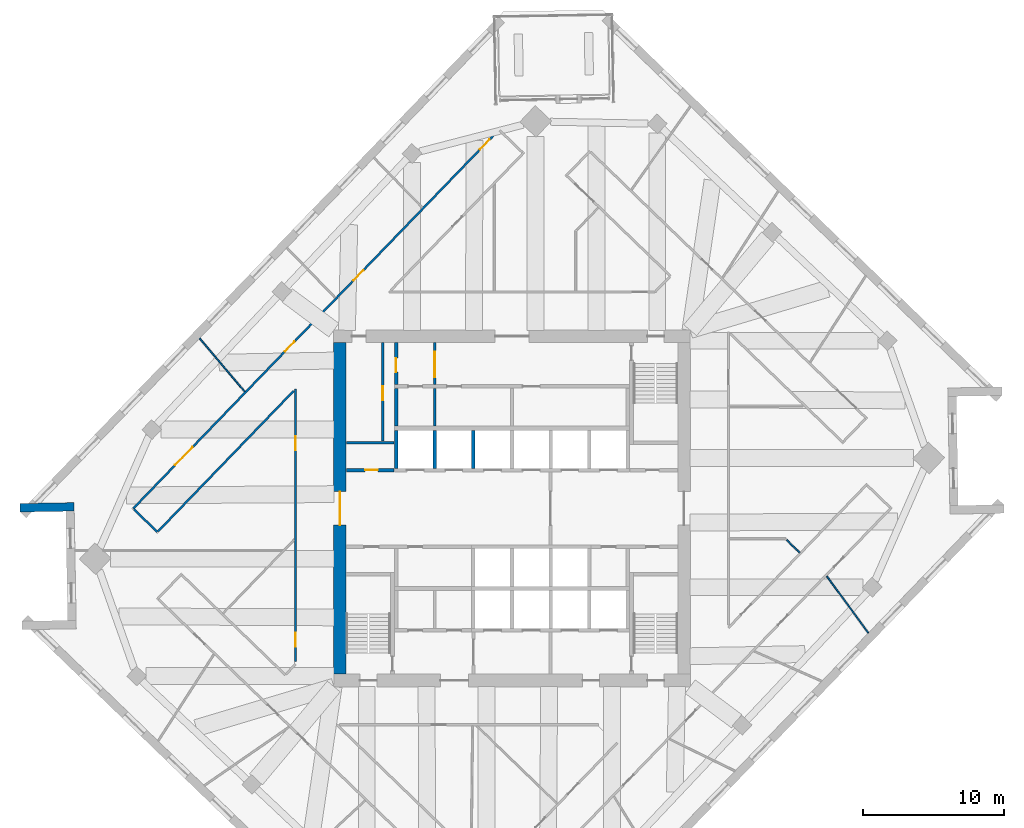
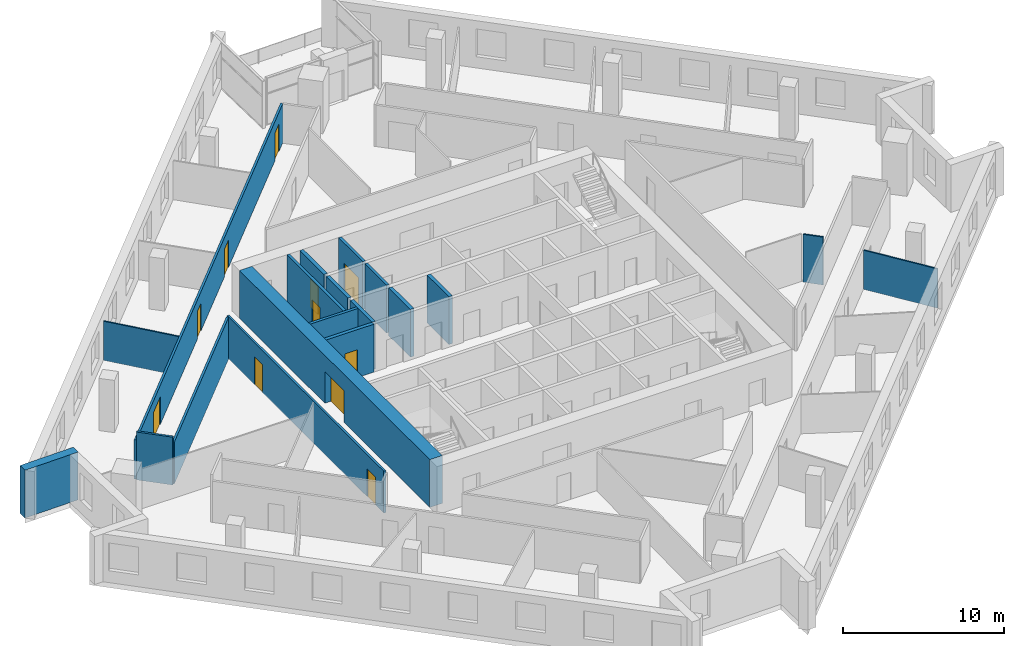
# One storey, part 8 of 13: 19 walls, 11 doors, 11 openings.
"""IFC4 building model written with IfcOpenShell, lengths in metres."""

from ifc_helpers import new_model, si_unit, direction, frame, frame_2d, origin, place, context, subcontext, project, spatial, rectangle, extrude, material, layer, layer_set, type_object, element, fill, save


model = new_model("IFC4")

# Units and contexts
model_context = context("Model", 3, precision=1e-05, world=origin(), true_north=direction((0.0, 1.0)))
body_context = subcontext(model_context, "Body", "Model", "MODEL_VIEW")
ifc_project = project(units=[si_unit("LENGTHUNIT", "METRE"), si_unit("AREAUNIT", "SQUARE_METRE"), si_unit("VOLUMEUNIT", "CUBIC_METRE"), si_unit("PLANEANGLEUNIT", "RADIAN"), si_unit("MASSUNIT", "GRAM", prefix="KILO")], contexts=[model_context])

# Site, building, storey
site_placement = place(None, origin())
site = spatial("IfcSite", under=ifc_project, at=site_placement, CompositionType="ELEMENT")
building_placement = place(site_placement, origin())
building = spatial("IfcBuilding", under=site, at=building_placement, Name="Dilmun Exchange Tower", CompositionType="ELEMENT")
storey_placement = place(building_placement, frame((0.0, 0.0, 213.300048828125)))
storey = spatial("IfcBuildingStorey", under=building, at=storey_placement, Name="L50", CompositionType="ELEMENT", Elevation=213.300048828125)

# Wall
ifc_material_1 = material(Name="Concrete C40/50", Category="concrete")
ifc_layer_1 = layer(ifc_material_1, 0.199951171875)
ifc_layer_set_1 = layer_set([ifc_layer_1], Name="Concrete C40/50")
wall_type_1 = type_object("IfcWallType", Name="Core partition wall 200", PredefinedType="PARTITIONING", material=ifc_layer_set_1)
wall_1_placement = place(storey_placement, frame((-11.794921875, 4.675048828125, 0.0), z_axis=(0.0, 0.0, 1.0), x_axis=(1.0, 0.0, 0.0)))
element("IfcWall", 1, at=wall_1_placement, inside=storey, type_object=wall_type_1, Name="L50 core partition wall 14", PredefinedType="PARTITIONING", context=body_context, shape_type="SweptSolid", body=[
    extrude(rectangle(XDim=3.4150390625, YDim=0.199951171875, at=frame_2d((1.70751953125, 0.0))), origin(), (0.0, 0.0, 1.0), 3.619873046875),
])

# Wall, opening, door
wall_2_placement = place(storey_placement, frame((-9.199951171875, 4.780029296875, 0.0), z_axis=(0.0, 0.0, 1.0), x_axis=(0.0, 1.0, 0.0)))
wall_2 = element("IfcWall", 2, at=wall_2_placement, inside=storey, type_object=wall_type_1, Name="L50 core partition wall 15", PredefinedType="PARTITIONING", context=body_context, shape_type="SweptSolid", body=[
    extrude(rectangle(XDim=7.014892578125, YDim=0.199951171875, at=frame_2d((3.50732421875, 0.0))), origin(), (0.0, 0.0, 1.0), 3.619873046875),
])
opening_1_placement = place(wall_2_placement, frame((2.919921875, 0.0, 0.0)))
opening_1 = element("IfcOpeningElement", 3, at=opening_1_placement, cuts=wall_2, Name="Opening CD4", PredefinedType="OPENING", context=body_context, shape_type="SweptSolid", body=[
    extrude(rectangle(XDim=1.0, YDim=2.10009765625, at=frame_2d((0.5, 1.050048828125))), frame((0.0, 0.10986328125, 0.0), z_axis=(0.0, -1.0, 0.0), x_axis=(1.0, 0.0, 0.0)), (0.0, 0.0, 1.0), 0.219970703125),
])
ifc_material_2 = material(Name="Fire-rated steel door set", Category="steel")
door_type_1 = type_object("IfcDoorType", Name="Core room door 1000x2100", OperationType="SINGLE_SWING_LEFT", PredefinedType="DOOR", material=ifc_material_2)
door_1_placement = place(opening_1_placement, origin())
door_1 = element("IfcDoor", 4, at=door_1_placement, inside=storey, type_object=door_type_1, Name="L50 door Fire safety store", OperationType="SINGLE_SWING_LEFT", OverallHeight=2.10009765625, OverallWidth=1.0, PredefinedType="DOOR", context=body_context, shape_type="SweptSolid", body=[
    extrude(rectangle(XDim=1.0, YDim=2.10009765625, at=frame_2d((0.5, 1.050048828125))), frame((0.0, 0.02490234375, 0.0), z_axis=(0.0, -1.0, 0.0), x_axis=(1.0, 0.0, 0.0)), (0.0, 0.0, 1.0), 0.050048828125),
])
fill(opening_1, door_1)

# Wall
wall_3_placement = place(storey_placement, frame((-5.5, 5.85498046875, 0.0), z_axis=(0.0, 0.0, 1.0), x_axis=(0.0, 1.0, 0.0)))
element("IfcWall", 5, at=wall_3_placement, inside=storey, type_object=wall_type_1, Name="L50 core partition wall 17", PredefinedType="PARTITIONING", context=body_context, shape_type="SweptSolid", body=[
    extrude(rectangle(XDim=2.68994140625, YDim=0.199951171875, at=frame_2d((1.344970703125, 0.0))), origin(), (0.0, 0.0, 1.0), 3.619873046875),
])

# Wall, opening, door
wall_4_placement = place(storey_placement, frame((-5.5, 8.804931640625, 0.0), z_axis=(0.0, 0.0, 1.0), x_axis=(0.0, 1.0, 0.0)))
wall_4 = element("IfcWall", 6, at=wall_4_placement, inside=storey, type_object=wall_type_1, Name="L50 core partition wall 22", PredefinedType="PARTITIONING", context=body_context, shape_type="SweptSolid", body=[
    extrude(rectangle(XDim=2.989990234375, YDim=0.199951171875, at=frame_2d((1.4951171875, 0.0))), origin(), (0.0, 0.0, 1.0), 3.619873046875),
])
opening_2_placement = place(wall_4_placement, frame((0.532470703125, 0.0, 0.0)))
opening_2 = element("IfcOpeningElement", 7, at=opening_2_placement, cuts=wall_4, Name="Opening CD5", PredefinedType="OPENING", context=body_context, shape_type="SweptSolid", body=[
    extrude(rectangle(XDim=1.800048828125, YDim=2.10009765625, at=frame_2d((0.89990234375, 1.050048828125))), frame((0.0, 0.10986328125, 0.0), z_axis=(0.0, -1.0, 0.0), x_axis=(1.0, 0.0, 0.0)), (0.0, 0.0, 1.0), 0.219970703125),
])
door_type_2 = type_object("IfcDoorType", Name="Stair exit door 1800x2100", OperationType="SINGLE_SWING_LEFT", PredefinedType="DOOR", material=ifc_material_2)
door_2_placement = place(opening_2_placement, origin())
door_2 = element("IfcDoor", 8, at=door_2_placement, inside=storey, type_object=door_type_2, Name="L50 door Core corridor east", OperationType="SINGLE_SWING_LEFT", OverallHeight=2.10009765625, OverallWidth=1.800048828125, PredefinedType="DOOR", context=body_context, shape_type="SweptSolid", body=[
    extrude(rectangle(XDim=1.800048828125, YDim=2.10009765625, at=frame_2d((0.89990234375, 1.050048828125))), frame((0.0, 0.02490234375, 0.0), z_axis=(0.0, -1.0, 0.0), x_axis=(1.0, 0.0, 0.0)), (0.0, 0.0, 1.0), 0.050048828125),
])
fill(opening_2, door_2)

ifc_layer_2 = layer(ifc_material_1, 0.25)
ifc_layer_set_2 = layer_set([ifc_layer_2], Name="Concrete C40/50")
wall_type_2 = type_object("IfcWallType", Name="Core partition wall 250", PredefinedType="PARTITIONING", material=ifc_layer_set_2)
wall_5_placement = place(storey_placement, frame((-11.794921875, 2.72509765625, 0.0), z_axis=(0.0, 0.0, 1.0), x_axis=(1.0, 0.0, 0.0)))
wall_5 = element("IfcWall", 9, at=wall_5_placement, inside=storey, type_object=wall_type_2, Name="L50 core partition wall 12", PredefinedType="PARTITIONING", context=body_context, shape_type="SweptSolid", body=[
    extrude(rectangle(XDim=3.4150390625, YDim=0.25, at=frame_2d((1.70751953125, 0.0))), origin(), (0.0, 0.0, 1.0), 3.619873046875),
])
opening_3_placement = place(wall_5_placement, frame((1.344970703125, 0.0, 0.0)))
opening_3 = element("IfcOpeningElement", 10, at=opening_3_placement, cuts=wall_5, Name="Opening CD6", PredefinedType="OPENING", context=body_context, shape_type="SweptSolid", body=[
    extrude(rectangle(XDim=0.89990234375, YDim=2.10009765625, at=frame_2d((0.449951171875, 1.050048828125))), frame((0.0, 0.135009765625, 0.0), z_axis=(0.0, -1.0, 0.0), x_axis=(1.0, 0.0, 0.0)), (0.0, 0.0, 1.0), 0.27001953125),
])
door_type_3 = type_object("IfcDoorType", Name="Core room door 900x2100", OperationType="SINGLE_SWING_LEFT", PredefinedType="DOOR", material=ifc_material_2)
door_3_placement = place(opening_3_placement, origin())
door_3 = element("IfcDoor", 11, at=door_3_placement, inside=storey, type_object=door_type_3, Name="L50 door Plumbing riser", OperationType="SINGLE_SWING_LEFT", OverallHeight=2.10009765625, OverallWidth=0.89990234375, PredefinedType="DOOR", context=body_context, shape_type="SweptSolid", body=[
    extrude(rectangle(XDim=0.89990234375, YDim=2.10009765625, at=frame_2d((0.449951171875, 1.050048828125))), frame((0.0, 0.02490234375, 0.0), z_axis=(0.0, -1.0, 0.0), x_axis=(1.0, 0.0, 0.0)), (0.0, 0.0, 1.0), 0.050048828125),
])
fill(opening_3, door_3)

# Wall
wall_6_placement = place(storey_placement, frame((-8.25, 5.85498046875, 0.0), z_axis=(0.0, 0.0, 1.0), x_axis=(0.0, 1.0, 0.0)))
element("IfcWall", 12, at=wall_6_placement, inside=storey, type_object=wall_type_2, Name="L50 core partition wall 16", PredefinedType="PARTITIONING", context=body_context, shape_type="SweptSolid", body=[
    extrude(rectangle(XDim=2.68994140625, YDim=0.25, at=frame_2d((1.344970703125, 0.0))), origin(), (0.0, 0.0, 1.0), 3.619873046875),
])

# Wall, opening, door
wall_7_placement = place(storey_placement, frame((-8.25, 8.804931640625, 0.0), z_axis=(0.0, 0.0, 1.0), x_axis=(0.0, 1.0, 0.0)))
wall_7 = element("IfcWall", 13, at=wall_7_placement, inside=storey, type_object=wall_type_2, Name="L50 core partition wall 21", PredefinedType="PARTITIONING", context=body_context, shape_type="SweptSolid", body=[
    extrude(rectangle(XDim=2.989990234375, YDim=0.25, at=frame_2d((1.4951171875, 0.0))), origin(), (0.0, 0.0, 1.0), 3.619873046875),
])
opening_4_placement = place(wall_7_placement, frame((0.89501953125, 0.0, 0.0)))
opening_4 = element("IfcOpeningElement", 14, at=opening_4_placement, cuts=wall_7, Name="Opening CD4", PredefinedType="OPENING", context=body_context, shape_type="SweptSolid", body=[
    extrude(rectangle(XDim=1.0, YDim=2.10009765625, at=frame_2d((0.5, 1.050048828125))), frame((0.0, 0.135009765625, 0.0), z_axis=(0.0, -1.0, 0.0), x_axis=(1.0, 0.0, 0.0)), (0.0, 0.0, 1.0), 0.27001953125),
])
door_4_placement = place(opening_4_placement, origin())
door_4 = element("IfcDoor", 15, at=door_4_placement, inside=storey, type_object=door_type_1, Name="L50 door Tenant services room", OperationType="SINGLE_SWING_LEFT", OverallHeight=2.10009765625, OverallWidth=1.0, PredefinedType="DOOR", context=body_context, shape_type="SweptSolid", body=[
    extrude(rectangle(XDim=1.0, YDim=2.10009765625, at=frame_2d((0.5, 1.050048828125))), frame((0.0, 0.02490234375, 0.0), z_axis=(0.0, -1.0, 0.0), x_axis=(1.0, 0.0, 0.0)), (0.0, 0.0, 1.0), 0.050048828125),
])
fill(opening_4, door_4)

ifc_material_3 = material(Name="Concrete C60/75", Category="concrete")
ifc_layer_3 = layer(ifc_material_3, 0.89990234375)
ifc_layer_set_3 = layer_set([ifc_layer_3], Name="Concrete C60/75")
wall_type_3 = type_object("IfcWallType", Name="Core shear wall 900 Concrete C60/75", PredefinedType="SHEAR", material=ifc_layer_set_3)
wall_8_placement = place(storey_placement, frame((-12.25, -11.800048828125, 0.0), z_axis=(0.0, 0.0, 1.0), x_axis=(0.0, 1.0, 0.0)))
wall_8 = element("IfcWall", 16, at=wall_8_placement, inside=storey, type_object=wall_type_3, Name="L50 core shear wall W", PredefinedType="SHEAR", context=body_context, shape_type="SweptSolid", body=[
    extrude(rectangle(XDim=23.60009765625, YDim=0.89990234375, at=frame_2d((11.800048828125, 0.0))), origin(), (0.0, 0.0, 1.0), 3.619873046875),
])
opening_5_placement = place(wall_8_placement, frame((10.60009765625, 0.0, 0.0)))
opening_5 = element("IfcOpeningElement", 17, at=opening_5_placement, cuts=wall_8, Name="Opening CD1", PredefinedType="OPENING", context=body_context, shape_type="SweptSolid", body=[
    extrude(rectangle(XDim=2.39990234375, YDim=2.39990234375, at=frame_2d((1.199951171875, 1.199951171875))), frame((0.0, 0.4599609375, 0.0), z_axis=(0.0, -1.0, 0.0), x_axis=(1.0, 0.0, 0.0)), (0.0, 0.0, 1.0), 0.919921875),
])
door_type_4 = type_object("IfcDoorType", Name="Core lobby door 2400x2400", OperationType="DOUBLE_DOOR_DOUBLE_SWING", PredefinedType="DOOR", material=ifc_material_2)
door_5_placement = place(opening_5_placement, origin())
door_5 = element("IfcDoor", 18, at=door_5_placement, inside=storey, type_object=door_type_4, Name="L50 door Central lift lobby", OperationType="SINGLE_SWING_LEFT", OverallHeight=2.39990234375, OverallWidth=2.39990234375, PredefinedType="DOOR", context=body_context, shape_type="SweptSolid", body=[
    extrude(rectangle(XDim=2.39990234375, YDim=2.39990234375, at=frame_2d((1.199951171875, 1.199951171875))), frame((0.0, 0.02490234375, 0.0), z_axis=(0.0, -1.0, 0.0), x_axis=(1.0, 0.0, 0.0)), (0.0, 0.0, 1.0), 0.050048828125),
])
fill(opening_5, door_5)

# Wall, openings, doors
ifc_material_4 = material(Name="Corridor wall 150")
ifc_layer_4 = layer(ifc_material_4, 0.14990234375)
ifc_layer_set_4 = layer_set([ifc_layer_4], Name="Corridor wall 150")
wall_type_4 = type_object("IfcWallType", Name="Corridor wall 150", PredefinedType="PARTITIONING", material=ifc_layer_set_4)
wall_9_placement = place(storey_placement, frame((-26.9599609375, -0.01611328125, 0.0), z_axis=(0.0, 0.0, 1.0), x_axis=(0.694654845656, 0.719343204184, 0.0)))
wall_9 = element("IfcWall", 19, at=wall_9_placement, inside=storey, type_object=wall_type_4, Name="Corridor wall", PredefinedType="PARTITIONING", context=body_context, shape_type="SweptSolid", body=[
    extrude(rectangle(XDim=37.47900390625, YDim=0.14990234375, at=frame_2d((18.739501953125, 0.0))), origin(), (0.0, 0.0, 1.0), 2.969970703125),
])
opening_6_placement = place(wall_9_placement, frame((4.300048828125, 0.0, 0.0)))
opening_6 = element("IfcOpeningElement", 20, at=opening_6_placement, cuts=wall_9, Name="Opening TF48-D02", PredefinedType="OPENING", context=body_context, shape_type="SweptSolid", body=[
    extrude(rectangle(XDim=1.800048828125, YDim=2.10009765625, at=frame_2d((0.89990234375, 1.050048828125))), frame((0.0, 0.0849609375, 0.0), z_axis=(0.0, -1.0, 0.0), x_axis=(1.0, 0.0, 0.0)), (0.0, 0.0, 1.0), 0.169921875),
])
opening_7_placement = place(wall_9_placement, frame((15.54736328125, 0.0, 0.0)))
opening_7 = element("IfcOpeningElement", 21, at=opening_7_placement, cuts=wall_9, Name="Opening TF48-D05", PredefinedType="OPENING", context=body_context, shape_type="SweptSolid", body=[
    extrude(rectangle(XDim=1.0, YDim=2.10009765625, at=frame_2d((0.5, 1.050048828125))), frame((0.0, 0.0849609375, 0.0), z_axis=(0.0, -1.0, 0.0), x_axis=(1.0, 0.0, 0.0)), (0.0, 0.0, 1.0), 0.169921875),
])
opening_8_placement = place(wall_9_placement, frame((22.580078125, 0.0, 0.0)))
opening_8 = element("IfcOpeningElement", 22, at=opening_8_placement, cuts=wall_9, Name="Opening TF48-D08", PredefinedType="OPENING", context=body_context, shape_type="SweptSolid", body=[
    extrude(rectangle(XDim=1.0, YDim=2.10009765625, at=frame_2d((0.5, 1.050048828125))), frame((0.0, 0.0849609375, 0.0), z_axis=(0.0, -1.0, 0.0), x_axis=(1.0, 0.0, 0.0)), (0.0, 0.0, 1.0), 0.169921875),
])
opening_9_placement = place(wall_9_placement, frame((35.50830078125, 0.0, 0.0)))
opening_9 = element("IfcOpeningElement", 23, at=opening_9_placement, cuts=wall_9, Name="Opening TF48-D12", PredefinedType="OPENING", context=body_context, shape_type="SweptSolid", body=[
    extrude(rectangle(XDim=1.0, YDim=2.10009765625, at=frame_2d((0.5, 1.050048828125))), frame((0.0, 0.0849609375, 0.0), z_axis=(0.0, -1.0, 0.0), x_axis=(1.0, 0.0, 0.0)), (0.0, 0.0, 1.0), 0.169921875),
])
ifc_material_5 = material(Name="Fire door 1000 x 2100")
door_type_5 = type_object("IfcDoorType", Name="Fire door 1000 x 2100", OperationType="NOTDEFINED", PredefinedType="DOOR", material=ifc_material_5)
door_6_placement = place(opening_7_placement, origin())
door_6 = element("IfcDoor", 24, at=door_6_placement, inside=storey, type_object=door_type_5, Name="Door TF48-D05", OperationType="SINGLE_SWING_LEFT", OverallHeight=2.10009765625, OverallWidth=1.0, PredefinedType="DOOR", context=body_context, shape_type="SweptSolid", body=[
    extrude(rectangle(XDim=1.0, YDim=2.10009765625, at=frame_2d((0.5, 1.050048828125))), frame((0.0, 0.02490234375, 0.0), z_axis=(0.0, -1.0, 0.0), x_axis=(1.0, 0.0, 0.0)), (0.0, 0.0, 1.0), 0.050048828125),
])
fill(opening_7, door_6)
door_7_placement = place(opening_8_placement, origin())
door_7 = element("IfcDoor", 25, at=door_7_placement, inside=storey, type_object=door_type_5, Name="Door TF48-D08", OperationType="SINGLE_SWING_RIGHT", OverallHeight=2.10009765625, OverallWidth=1.0, PredefinedType="DOOR", context=body_context, shape_type="SweptSolid", body=[
    extrude(rectangle(XDim=1.0, YDim=2.10009765625, at=frame_2d((0.5, 1.050048828125))), frame((0.0, 0.02490234375, 0.0), z_axis=(0.0, -1.0, 0.0), x_axis=(1.0, 0.0, 0.0)), (0.0, 0.0, 1.0), 0.050048828125),
])
fill(opening_8, door_7)
door_8_placement = place(opening_9_placement, origin())
door_8 = element("IfcDoor", 26, at=door_8_placement, inside=storey, type_object=door_type_5, Name="Door TF48-D12", OperationType="SINGLE_SWING_LEFT", OverallHeight=2.10009765625, OverallWidth=1.0, PredefinedType="DOOR", context=body_context, shape_type="SweptSolid", body=[
    extrude(rectangle(XDim=1.0, YDim=2.10009765625, at=frame_2d((0.5, 1.050048828125))), frame((0.0, 0.02490234375, 0.0), z_axis=(0.0, -1.0, 0.0), x_axis=(1.0, 0.0, 0.0)), (0.0, 0.0, 1.0), 0.050048828125),
])
fill(opening_9, door_8)
ifc_material_6 = material(Name="Fire door pair 1800 x 2100")
door_type_6 = type_object("IfcDoorType", Name="Fire door pair 1800 x 2100", OperationType="NOTDEFINED", PredefinedType="DOOR", material=ifc_material_6)
door_9_placement = place(opening_6_placement, origin())
door_9 = element("IfcDoor", 27, at=door_9_placement, inside=storey, type_object=door_type_6, Name="Door TF48-D02", OperationType="DOUBLE_DOOR_SINGLE_SWING", OverallHeight=2.10009765625, OverallWidth=1.800048828125, PredefinedType="DOOR", context=body_context, shape_type="SweptSolid", body=[
    extrude(rectangle(XDim=1.800048828125, YDim=2.10009765625, at=frame_2d((0.89990234375, 1.050048828125))), frame((0.0, 0.02490234375, 0.0), z_axis=(0.0, -1.0, 0.0), x_axis=(1.0, 0.0, 0.0)), (0.0, 0.0, 1.0), 0.050048828125),
])
fill(opening_6, door_9)

# Walls
wall_10_placement = place(storey_placement, frame((-26.906005859375, -0.068115234375, 0.0), z_axis=(0.0, 0.0, 1.0), x_axis=(0.719287446812, -0.694712580035, 0.0)))
element("IfcWall", 28, at=wall_10_placement, inside=storey, type_object=wall_type_4, Name="Corridor wall", PredefinedType="PARTITIONING", context=body_context, shape_type="SweptSolid", body=[
    extrude(rectangle(XDim=2.32470703125, YDim=0.14990234375, at=frame_2d((1.162353515625, 0.0))), origin(), (0.0, 0.0, 1.0), 3.619873046875),
])
wall_11_placement = place(storey_placement, frame((-25.181884765625, -1.62890625, 0.0), z_axis=(0.0, 0.0, 1.0), x_axis=(0.694683242855, 0.719315780514, 0.0)))
element("IfcWall", 29, at=wall_11_placement, inside=storey, type_object=wall_type_4, Name="Corridor wall", PredefinedType="PARTITIONING", context=body_context, shape_type="SweptSolid", body=[
    extrude(rectangle(XDim=13.895751953125, YDim=0.14990234375, at=frame_2d((6.94775390625, 0.0))), origin(), (0.0, 0.0, 1.0), 3.169921875),
])

# Wall, openings, doors
wall_12_placement = place(storey_placement, frame((-15.39990234375, -10.9033203125, 0.0), z_axis=(0.0, 0.0, 1.0), x_axis=(0.0, 1.0, 0.0)))
wall_12 = element("IfcWall", 30, at=wall_12_placement, inside=storey, type_object=wall_type_4, Name="Corridor wall", PredefinedType="PARTITIONING", context=body_context, shape_type="SweptSolid", body=[
    extrude(rectangle(XDim=19.4033203125, YDim=0.14990234375, at=frame_2d((9.70166015625, 0.0))), origin(), (0.0, 0.0, 1.0), 3.169921875),
])
opening_10_placement = place(wall_12_placement, frame((15.032470703125, 0.0, 0.0)))
opening_10 = element("IfcOpeningElement", 31, at=opening_10_placement, cuts=wall_12, Name="Opening TF48-D03", PredefinedType="OPENING", context=body_context, shape_type="SweptSolid", body=[
    extrude(rectangle(XDim=1.0, YDim=2.10009765625, at=frame_2d((0.5, 1.050048828125))), frame((0.0, 0.0849609375, 0.0), z_axis=(0.0, -1.0, 0.0), x_axis=(1.0, 0.0, 0.0)), (0.0, 0.0, 1.0), 0.169921875),
])
opening_11_placement = place(wall_12_placement, frame((1.050048828125, 0.0, 0.0)))
opening_11 = element("IfcOpeningElement", 32, at=opening_11_placement, cuts=wall_12, Name="Opening TF48-D06", PredefinedType="OPENING", context=body_context, shape_type="SweptSolid", body=[
    extrude(rectangle(XDim=1.0, YDim=2.10009765625, at=frame_2d((0.5, 1.050048828125))), frame((0.0, 0.0849609375, 0.0), z_axis=(0.0, -1.0, 0.0), x_axis=(1.0, 0.0, 0.0)), (0.0, 0.0, 1.0), 0.169921875),
])
door_10_placement = place(opening_10_placement, origin())
door_10 = element("IfcDoor", 33, at=door_10_placement, inside=storey, type_object=door_type_5, Name="Door TF48-D03", OperationType="SINGLE_SWING_RIGHT", OverallHeight=2.10009765625, OverallWidth=1.0, PredefinedType="DOOR", context=body_context, shape_type="SweptSolid", body=[
    extrude(rectangle(XDim=1.0, YDim=2.10009765625, at=frame_2d((0.5, 1.050048828125))), frame((0.0, 0.02490234375, 0.0), z_axis=(0.0, -1.0, 0.0), x_axis=(1.0, 0.0, 0.0)), (0.0, 0.0, 1.0), 0.050048828125),
])
fill(opening_10, door_10)
door_11_placement = place(opening_11_placement, origin())
door_11 = element("IfcDoor", 34, at=door_11_placement, inside=storey, type_object=door_type_5, Name="Door TF48-D06", OperationType="SINGLE_SWING_RIGHT", OverallHeight=2.10009765625, OverallWidth=1.0, PredefinedType="DOOR", context=body_context, shape_type="SweptSolid", body=[
    extrude(rectangle(XDim=1.0, YDim=2.10009765625, at=frame_2d((0.5, 1.050048828125))), frame((0.0, 0.02490234375, 0.0), z_axis=(0.0, -1.0, 0.0), x_axis=(1.0, 0.0, 0.0)), (0.0, 0.0, 1.0), 0.050048828125),
])
fill(opening_11, door_11)

# Walls
ifc_layer_5 = layer(ifc_material_1, 0.25)
ifc_layer_set_5 = layer_set([ifc_layer_5], Name="Concrete C40/50")
wall_type_5 = type_object("IfcWallType", Name="Lift shaft wall 250", PredefinedType="SOLIDWALL", material=ifc_layer_set_5)
for number, where, z_axis, x_axis, name in (
    (35, (-8.25, 2.85009765625, 0.0), (0.0, 0.0, 1.0), (0.0, 1.0, 0.0), "L50 lift shaft divider N10"),
    (36, (-5.5, 2.85009765625, 0.0), (0.0, 0.0, 1.0), (0.0, 1.0, 0.0), "L50 lift shaft divider N11"),
    (37, (-2.75, 2.85009765625, 0.0), (0.0, 0.0, 1.0), (0.0, 1.0, 0.0), "L50 lift shaft divider N12"),
):
    element("IfcWall", number, at=place(storey_placement, frame(where, z_axis=z_axis, x_axis=x_axis)), inside=storey, type_object=wall_type_5, Name=name, PredefinedType="SOLIDWALL", context=body_context, shape_type="SweptSolid", body=[
        extrude(rectangle(XDim=2.699951171875, YDim=0.25, at=frame_2d((1.35009765625, 0.0))), origin(), (0.0, 0.0, 1.0), 3.619873046875),
    ])
ifc_material_7 = material(Name="Partition 100")
ifc_layer_6 = layer(ifc_material_7, 0.10009765625)
ifc_layer_set_6 = layer_set([ifc_layer_6], Name="Partition 100")
wall_type_6 = type_object("IfcWallType", Name="Partition 100", PredefinedType="PARTITIONING", material=ifc_layer_set_6)
wall_13_placement = place(storey_placement, frame((-22.23291015625, 12.099609375, 0.0), z_axis=(0.0, 0.0, 1.0), x_axis=(0.646745011425, -0.762706293534, 0.0)))
element("IfcWall", 38, at=wall_13_placement, inside=storey, type_object=wall_type_6, Name="Partition", PredefinedType="PARTITIONING", context=body_context, shape_type="SweptSolid", body=[
    extrude(rectangle(XDim=4.960205078125, YDim=0.10009765625, at=frame_2d((2.47998046875, 0.0))), origin(), (0.0, 0.0, 1.0), 2.969970703125),
])
wall_14_placement = place(storey_placement, frame((19.54296875, -2.248046875, 0.0), z_axis=(0.0, 0.0, 1.0), x_axis=(0.719136791041, -0.694868531286, 0.0)))
element("IfcWall", 39, at=wall_14_placement, inside=storey, type_object=wall_type_6, Name="Partition", PredefinedType="PARTITIONING", context=body_context, shape_type="SweptSolid", body=[
    extrude(rectangle(XDim=1.28759765625, YDim=0.10009765625, at=frame_2d((0.643798828125, 0.0))), origin(), (0.0, 0.0, 1.0), 3.619873046875),
])
wall_15_placement = place(storey_placement, frame((22.404052734375, -4.822509765625, 0.0), z_axis=(0.0, 0.0, 1.0), x_axis=(0.590034932846, -0.80737771707, 0.0)))
element("IfcWall", 40, at=wall_15_placement, inside=storey, type_object=wall_type_6, Name="Partition", PredefinedType="PARTITIONING", context=body_context, shape_type="SweptSolid", body=[
    extrude(rectangle(XDim=5.00537109375, YDim=0.10009765625, at=frame_2d((2.502685546875, 0.0))), origin(), (0.0, 0.0, 1.0), 2.969970703125),
])
ifc_material_8 = material(Name="Precast concrete C50/60", Category="concrete")
ifc_layer_7 = layer(ifc_material_8, 0.60009765625)
ifc_layer_set_7 = layer_set([ifc_layer_7], Name="Precast concrete C50/60")
wall_type_7 = type_object("IfcWallType", Name="Precast stone-clad wall 600", PredefinedType="STANDARD", material=ifc_layer_set_7)
wall_16_placement = place(storey_placement, frame((-35.0078125, 0.04248046875, 0.0), z_axis=(0.0, 0.0, 1.0), x_axis=(0.999847642189, 0.017455440681, 0.0)))
element("IfcWall", 41, at=wall_16_placement, inside=storey, type_object=wall_type_7, Name="Facade wall L50-04", PredefinedType="STANDARD", context=body_context, shape_type="SweptSolid", body=[
    extrude(rectangle(XDim=3.84619140625, YDim=0.60009765625, at=frame_2d((1.923095703125, 0.0))), origin(), (0.0, 0.0, 1.0), 3.619873046875),
])

save(model, "model.ifc")
